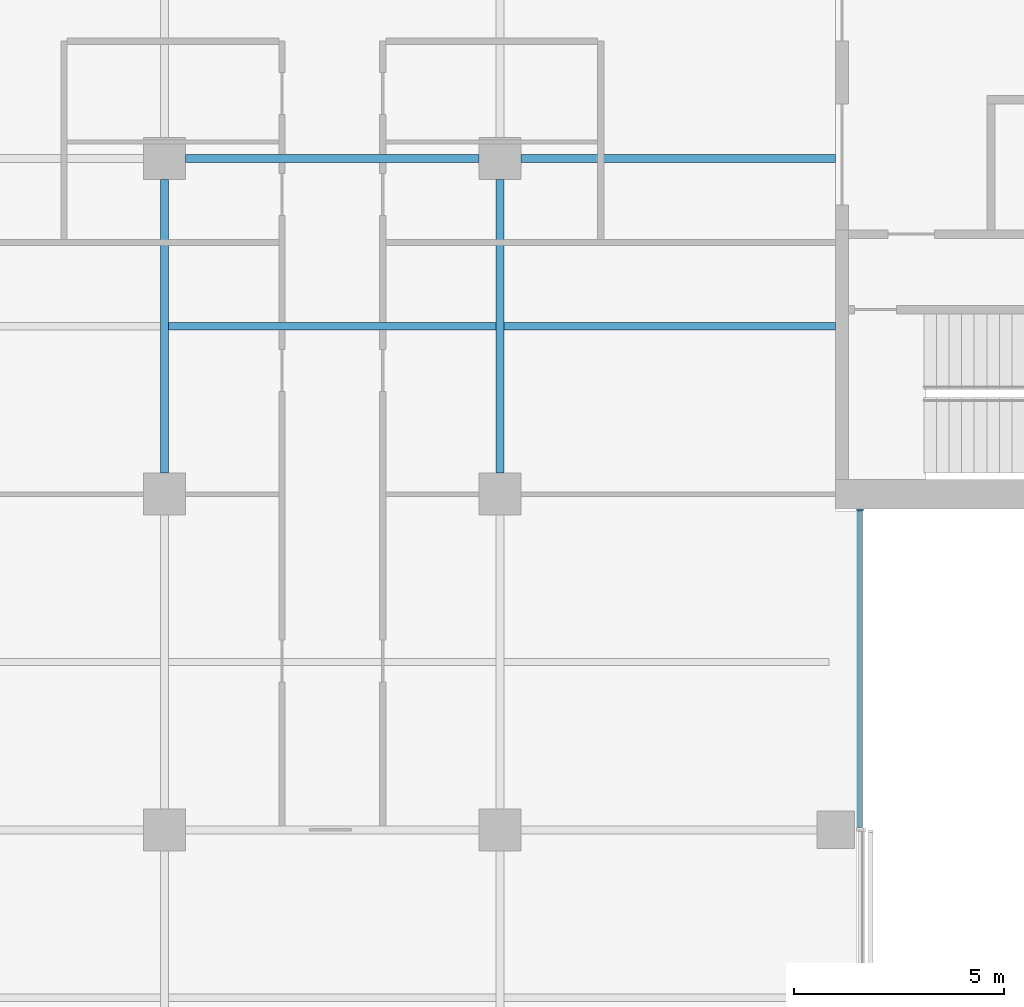
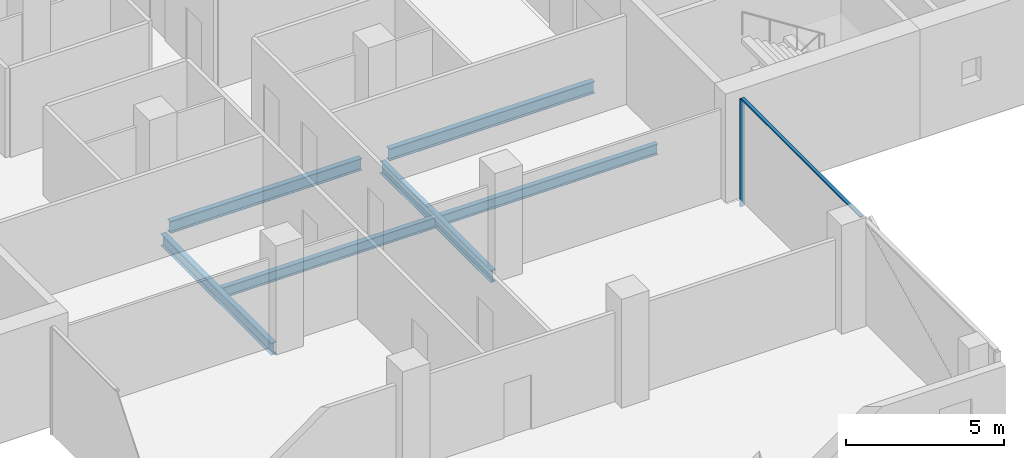
# One storey, part 6 of 24: 6 beams, 2 members, 1 element without a shape of its own.
"""IFC4 building model written with IfcOpenShell, lengths in metres."""

from ifc_helpers import new_model, si_unit, direction, frame, origin, origin_2d, place, context, subcontext, project, spatial, rectangle, i_section, extrude, material, material_profile, profile_set, type_object, element, aggregate, save


model = new_model("IFC4")

# Units and contexts
model_context = context("Model", 3, precision=1e-05, world=origin(), true_north=direction((0.0, 1.0)))
body_context = subcontext(model_context, "Body", "Model", "MODEL_VIEW")
ifc_project = project(units=[si_unit("LENGTHUNIT", "METRE"), si_unit("AREAUNIT", "SQUARE_METRE"), si_unit("VOLUMEUNIT", "CUBIC_METRE"), si_unit("PLANEANGLEUNIT", "RADIAN"), si_unit("MASSUNIT", "GRAM", prefix="KILO")], contexts=[model_context])

# Site, building, storey
site_placement = place(None, origin())
site = spatial("IfcSite", under=ifc_project, at=site_placement, CompositionType="ELEMENT")
building_placement = place(site_placement, origin())
building = spatial("IfcBuilding", under=site, at=building_placement, Name="Crosswind Convention Tower", CompositionType="ELEMENT")
storey_placement = place(building_placement, frame((0.0, 0.0, 112.699951171875)))
storey = spatial("IfcBuildingStorey", under=building, at=storey_placement, Name="L22", CompositionType="ELEMENT", Elevation=112.699951171875)

# Beams
ifc_material_1 = material(Name="Steel S355", Category="steel")
ifc_material_profile_1 = material_profile(ifc_material_1, i_section(OverallWidth=0.19140625, OverallDepth=0.460205078125, WebThickness=0.010009765625, FlangeThickness=0.01611328125, FilletRadius=0.01025390625, at=origin_2d()), Name="UB 457x191x82")
ifc_profile_set_1 = profile_set([ifc_material_profile_1], Name="Steel S355")
beam_type_1 = type_object("IfcBeamType", Name="Girder UB 457x191x82", PredefinedType="BEAM", material=ifc_profile_set_1)
for number, where, z_axis, x_axis, name in (
    (1, (121.0, 88.5, -0.530029296875), (0.0, 1.0, 0.0), (-1.0, 0.0, 0.0), "B3 L22 girder 8"),
    (2, (121.5, 96.0, -0.530029296875), (1.0, 0.0, 0.0), (0.0, 1.0, 0.0), "B3 L22 girder 17"),
    (3, (129.0, 88.5, -0.530029296875), (0.0, 1.0, 0.0), (-1.0, 0.0, 0.0), "B3 L22 girder 23"),
):
    element("IfcBeam", number, at=place(storey_placement, frame(where, z_axis=z_axis, x_axis=x_axis)), inside=storey, type_object=beam_type_1, Name=name, PredefinedType="BEAM", context=body_context, shape_type="SweptSolid", body=[
        extrude(i_section(OverallWidth=0.19140625, OverallDepth=0.460205078125, WebThickness=0.010009765625, FlangeThickness=0.01611328125, FilletRadius=0.01025390625, at=origin_2d()), origin(), (0.0, 0.0, 1.0), 7.0),
    ])
ifc_material_profile_2 = material_profile(ifc_material_1, i_section(OverallWidth=0.19189453125, OverallDepth=0.463623046875, WebThickness=0.010498046875, FlangeThickness=0.017578125, FilletRadius=0.01025390625, at=origin_2d()), Name="UB 457x191x90")
ifc_profile_set_2 = profile_set([ifc_material_profile_2], Name="Steel S355")
beam_type_2 = type_object("IfcBeamType", Name="Girder at core wall UB 457x191x90", PredefinedType="BEAM", material=ifc_profile_set_2)
beam_1_placement = place(storey_placement, frame((129.5, 96.0, -0.53173828125), z_axis=(1.0, 0.0, 0.0), x_axis=(0.0, 1.0, 0.0)))
element("IfcBeam", 4, at=beam_1_placement, inside=storey, type_object=beam_type_2, Name="B24 L22 girder at core wall 5", PredefinedType="BEAM", context=body_context, shape_type="SweptSolid", body=[
    extrude(i_section(OverallWidth=0.19189453125, OverallDepth=0.463623046875, WebThickness=0.010498046875, FlangeThickness=0.017578125, FilletRadius=0.01025390625, at=origin_2d()), origin(), (0.0, 0.0, 1.0), 7.5),
])

# Curtain wall, member
ifc_material_2 = material(Name="Aluminium unitised curtain wall", Category="aluminium")
curtain_wall_type = type_object("IfcCurtainWallType", Name="CORE END SLOT WALL 160", PredefinedType="USERDEFINED", material=ifc_material_2)
curtain_wall_placement = place(storey_placement, origin())
curtain_wall = element("IfcCurtainWall", 5, at=curtain_wall_placement, inside=storey, type_object=curtain_wall_type, Name="CW6 L22 S-E.1-2 slot", ObjectType="UNITISED", PredefinedType="USERDEFINED")
ifc_material_3 = material(Name="Aluminium mullion", Category="aluminium")
ifc_material_profile_3 = material_profile(ifc_material_3, rectangle(XDim=0.159912109375, YDim=0.050048828125, at=origin_2d()), Name="AL 160X50")
ifc_profile_set_3 = profile_set([ifc_material_profile_3], Name="Aluminium mullion")
member_type_1 = type_object("IfcMemberType", Name="MULLION 50X160", PredefinedType="MULLION", material=ifc_profile_set_3)
member_1_placement = place(storey_placement, frame((137.580078125, 87.625, -0.300048828125), z_axis=(0.0, 0.0, 1.0), x_axis=(1.0, 0.0, 0.0)))
member_1 = element("IfcMember", 6, at=member_1_placement, type_object=member_type_1, Name="CW6 mullion 2", PredefinedType="MULLION", context=body_context, shape_type="SweptSolid", body=[
    extrude(rectangle(XDim=0.159912109375, YDim=0.050048828125, at=origin_2d()), origin(), (0.0, 0.0, 1.0), 4.150146484375),
])

# Beams
ifc_material_profile_4 = material_profile(ifc_material_1, i_section(OverallWidth=0.177734375, OverallDepth=0.406494140625, WebThickness=0.0078125, FlangeThickness=0.0126953125, FilletRadius=0.01025390625, at=origin_2d()), Name="UB 406x178x60")
ifc_profile_set_4 = profile_set([ifc_material_profile_4], Name="Steel S355")
beam_type_3 = type_object("IfcBeamType", Name="Secondary beam UB 406x178x60", PredefinedType="JOIST", material=ifc_profile_set_4)
beam_2_placement = place(storey_placement, frame((121.095703125, 92.0, -0.503173828125), z_axis=(1.0, 0.0, 0.0), x_axis=(0.0, 1.0, 0.0)))
element("IfcBeam", 7, at=beam_2_placement, inside=storey, type_object=beam_type_3, Name="B10 L22 secondary beam 16", PredefinedType="JOIST", context=body_context, shape_type="SweptSolid", body=[
    extrude(i_section(OverallWidth=0.177734375, OverallDepth=0.406494140625, WebThickness=0.0078125, FlangeThickness=0.0126953125, FilletRadius=0.01025390625, at=origin_2d()), origin(), (0.0, 0.0, 1.0), 7.80859375),
])
beam_3_placement = place(storey_placement, frame((129.095703125, 92.0, -0.503173828125), z_axis=(1.0, 0.0, 0.0), x_axis=(0.0, 1.0, 0.0)))
element("IfcBeam", 8, at=beam_3_placement, inside=storey, type_object=beam_type_3, Name="B10 L22 secondary beam 25", PredefinedType="JOIST", context=body_context, shape_type="SweptSolid", body=[
    extrude(i_section(OverallWidth=0.177734375, OverallDepth=0.406494140625, WebThickness=0.0078125, FlangeThickness=0.0126953125, FilletRadius=0.01025390625, at=origin_2d()), origin(), (0.0, 0.0, 1.0), 7.904296875),
])

# Member
ifc_material_4 = material(Name="Aluminium transom", Category="aluminium")
ifc_material_profile_5 = material_profile(ifc_material_4, rectangle(XDim=0.1201171875, YDim=0.050048828125, at=origin_2d()), Name="AL 120X50")
ifc_profile_set_5 = profile_set([ifc_material_profile_5], Name="Aluminium transom")
member_type_2 = type_object("IfcMemberType", Name="TRANSOM 50X120", PredefinedType="USERDEFINED", material=ifc_profile_set_5)
member_2_placement = place(storey_placement, frame((137.580078125, 80.050048828125, 3.875), z_axis=(0.0, 1.0, 0.0), x_axis=(-1.0, 0.0, 0.0)))
member_2 = element("IfcMember", 9, at=member_2_placement, type_object=member_type_2, Name="CW6 transom", ObjectType="TRANSOM", PredefinedType="USERDEFINED", context=body_context, shape_type="SweptSolid", body=[
    extrude(rectangle(XDim=0.1201171875, YDim=0.050048828125, at=origin_2d()), origin(), (0.0, 0.0, 1.0), 7.550048828125),
])

aggregate(curtain_wall, [member_1, member_2])

save(model, "model.ifc")
